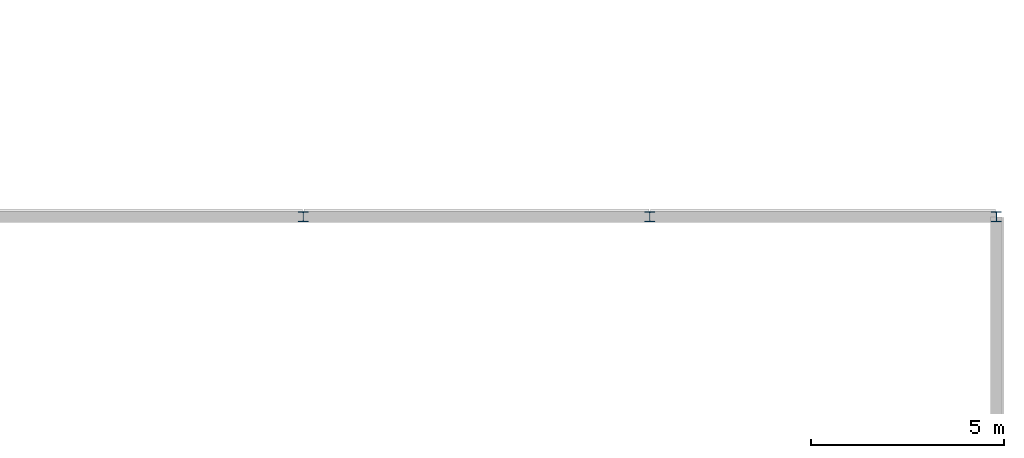
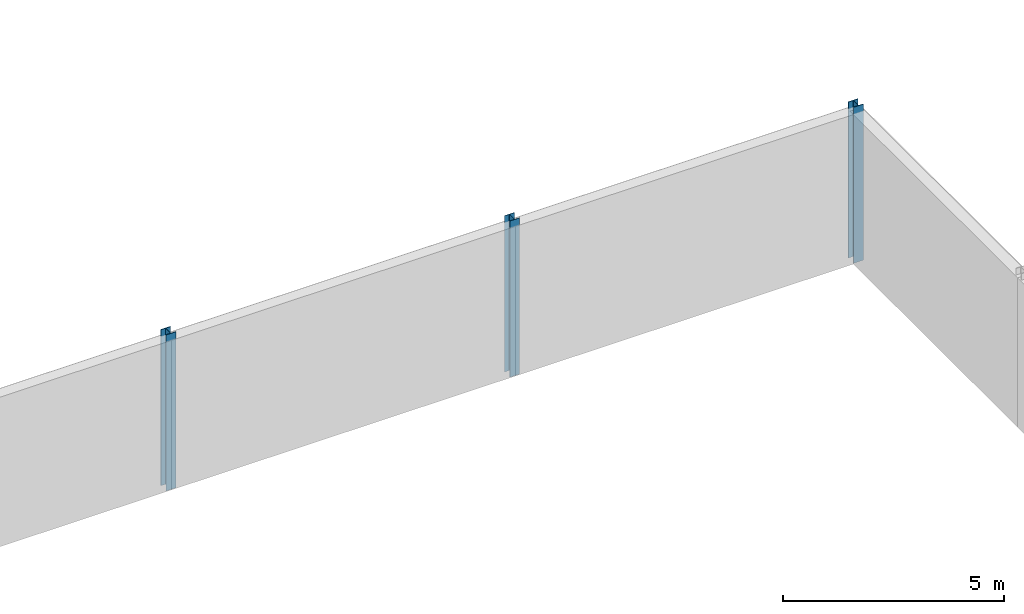
# One storey, part 22 of 166: 3 columns.
"""IFC4 building model written with IfcOpenShell, lengths in metres."""

from ifc_helpers import new_model, si_unit, direction, frame, origin, origin_2d, place, context, subcontext, project, spatial, i_section, extrude, material, material_profile, profile_set, type_object, element, save


model = new_model("IFC4")

# Units and contexts
model_context = context("Model", 3, precision=1e-05, world=origin(), true_north=direction((0.0, 1.0)))
body_context = subcontext(model_context, "Body", "Model", "MODEL_VIEW")
ifc_project = project(units=[si_unit("LENGTHUNIT", "METRE"), si_unit("AREAUNIT", "SQUARE_METRE"), si_unit("VOLUMEUNIT", "CUBIC_METRE"), si_unit("PLANEANGLEUNIT", "RADIAN"), si_unit("MASSUNIT", "GRAM", prefix="KILO")], contexts=[model_context])

# Site, building, storey
site_placement = place(None, origin())
site = spatial("IfcSite", under=ifc_project, at=site_placement, CompositionType="ELEMENT")
building_placement = place(site_placement, origin())
building = spatial("IfcBuilding", under=site, at=building_placement, Name="Caisbarro Railhouse Central Library", CompositionType="ELEMENT")
storey_placement = place(building_placement, frame((0.0, 0.0, 9.360107421875)))
storey = spatial("IfcBuildingStorey", under=building, at=storey_placement, Name="L02", CompositionType="ELEMENT", Elevation=9.360107421875)

# Columns
ifc_material = material(Name="Steel ASTM A572 Grade 50", Category="steel")
ifc_material_profile = material_profile(ifc_material, i_section(OverallWidth=0.25390625, OverallDepth=0.2529296875, WebThickness=0.008544921875, FlangeThickness=0.01416015625, FilletRadius=0.011962890625, at=origin_2d()), Name="W250X73.0")
ifc_profile_set = profile_set([ifc_material_profile], Name="Steel ASTM A572 Grade 50")
column_type = type_object("IfcColumnType", Name="COL-C08", PredefinedType="COLUMN", material=ifc_profile_set)
for number, where, z_axis, x_axis, name in (
    (1, (162.0, 38.0, 0.0), (0.0, 0.0, 1.0), (1.0, 0.0, 0.0), "C08 column L02 (162.0,38.0)"),
    (2, (171.0, 38.0, 0.0), (0.0, 0.0, 1.0), (1.0, 0.0, 0.0), "C08 column L02 (171.0,38.0)"),
    (3, (180.0, 38.0, 0.0), (0.0, 0.0, 1.0), (1.0, 0.0, 0.0), "C08 column L02 (180.0,38.0)"),
):
    element("IfcColumn", number, at=place(storey_placement, frame(where, z_axis=z_axis, x_axis=x_axis)), inside=storey, type_object=column_type, Name=name, PredefinedType="COLUMN", context=body_context, shape_type="SweptSolid", body=[
        extrude(i_section(OverallWidth=0.25390625, OverallDepth=0.2529296875, WebThickness=0.008544921875, FlangeThickness=0.01416015625, FilletRadius=0.011962890625, at=origin_2d()), origin(), (0.0, 0.0, 1.0), 4.31982421875),
    ])

save(model, "model.ifc")
